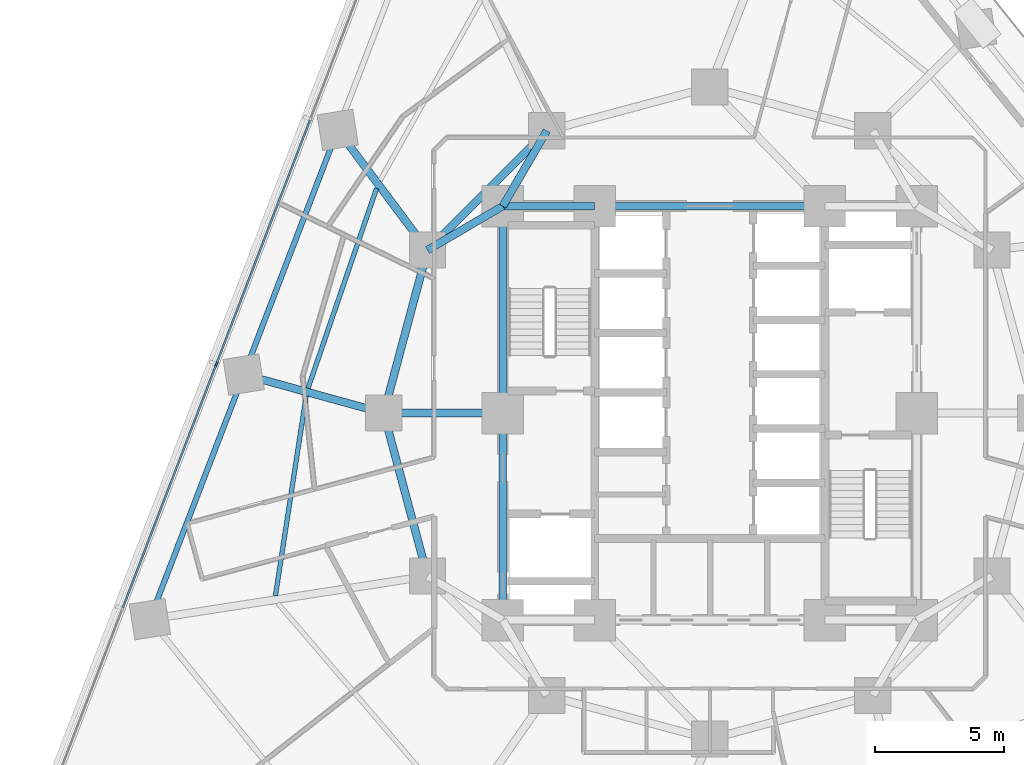
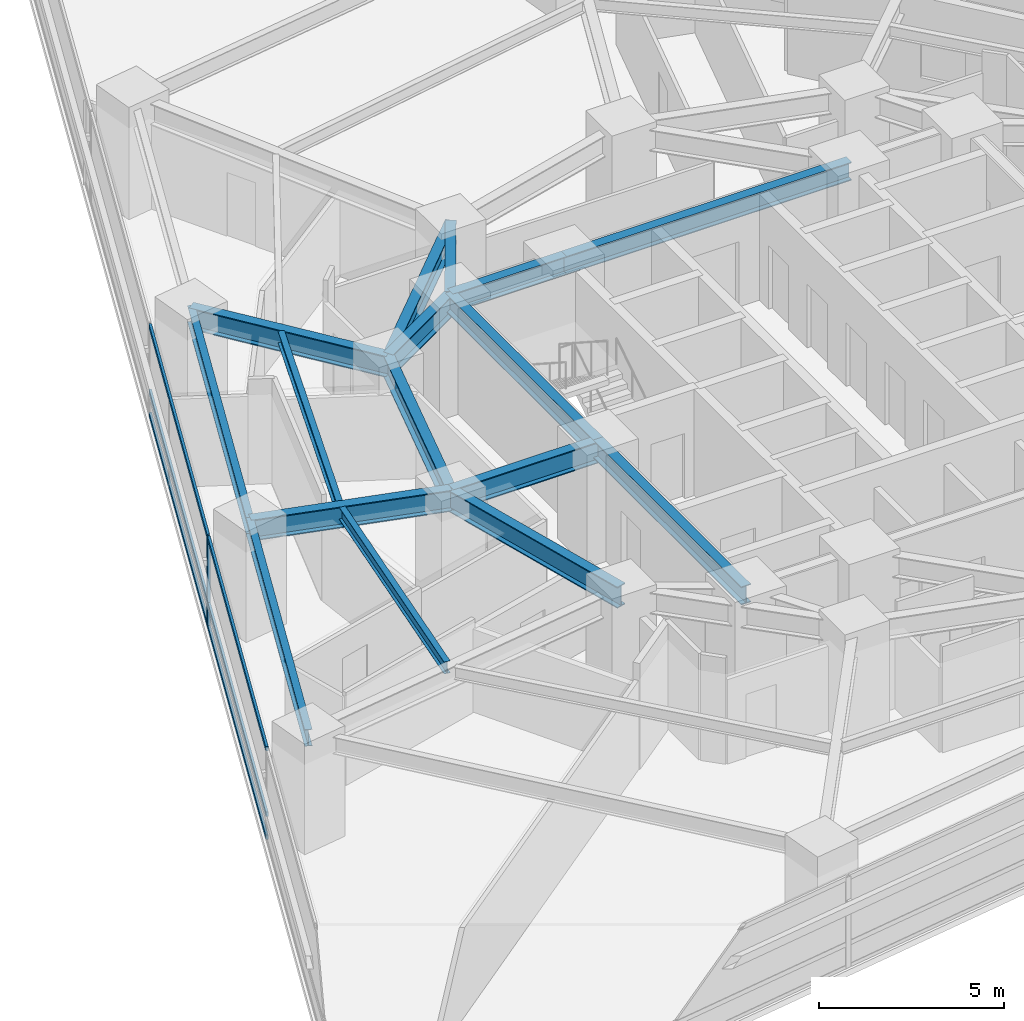
# One storey, part 3 of 13: 16 beams, 7 members, 1 element without a shape of its own.
"""IFC4 building model written with IfcOpenShell, lengths in metres."""

from ifc_helpers import new_model, si_unit, direction, frame, origin, origin_2d, place, context, subcontext, project, spatial, rectangle, i_section, extrude, material, layer, layer_set, material_profile, profile_set, type_object, element, aggregate, save


model = new_model("IFC4")

# Units and contexts
model_context = context("Model", 3, precision=1e-05, world=origin(), true_north=direction((0.0, 1.0)))
body_context = subcontext(model_context, "Body", "Model", "MODEL_VIEW")
ifc_project = project(units=[si_unit("LENGTHUNIT", "METRE"), si_unit("AREAUNIT", "SQUARE_METRE"), si_unit("VOLUMEUNIT", "CUBIC_METRE"), si_unit("PLANEANGLEUNIT", "RADIAN"), si_unit("MASSUNIT", "GRAM", prefix="KILO")], contexts=[model_context])

# Site, building, storey
site_placement = place(None, origin())
site = spatial("IfcSite", under=ifc_project, at=site_placement, CompositionType="ELEMENT")
building_placement = place(site_placement, origin())
building = spatial("IfcBuilding", under=site, at=building_placement, Name="Terralouvre Media Tower", CompositionType="ELEMENT")
storey_placement = place(building_placement, frame((0.0, 0.0, 77.800048828125)))
storey = spatial("IfcBuildingStorey", under=building, at=storey_placement, Name="L19", CompositionType="ELEMENT", Elevation=77.800048828125)

# Beams
ifc_material_1 = material(Name="Structural steel S355J2", Category="steel")
ifc_material_profile_1 = material_profile(ifc_material_1, i_section(OverallWidth=0.179931640625, OverallDepth=0.39990234375, WebThickness=0.008544921875, FlangeThickness=0.013427734375, at=origin_2d()), Name="IPE 400")
ifc_profile_set_1 = profile_set([ifc_material_profile_1], Name="Structural steel S355J2")
beam_type_1 = type_object("IfcBeamType", Name="Composite Floor Joist J-IPE400 (IPE 400)", PredefinedType="JOIST", material=ifc_profile_set_1)
beam_1_placement = place(storey_placement, frame((-12.87841796875, 8.684814453125, 3.300048828125), z_axis=(-0.324414525055, -0.945915015175, 0.0), x_axis=(0.945915015175, -0.324414525055, 0.0)))
element("IfcBeam", 1, at=beam_1_placement, inside=storey, type_object=beam_type_1, Name="L19 Framing Beam JT-L19-11", PredefinedType="JOIST", context=body_context, shape_type="SweptSolid", body=[
    extrude(i_section(OverallWidth=0.179931640625, OverallDepth=0.39990234375, WebThickness=0.008544921875, FlangeThickness=0.013427734375, at=origin_2d()), origin(), (0.0, 0.0, 1.0), 8.165283203125),
])
beam_2_placement = place(storey_placement, frame((-15.598876953125, 0.6708984375, 3.300048828125), z_axis=(-0.152106420826, -0.988364121538, 0.0), x_axis=(0.988364121538, -0.152106420826, 0.0)))
element("IfcBeam", 2, at=beam_2_placement, inside=storey, type_object=beam_type_1, Name="L19 Framing Beam JT-L19-12", PredefinedType="JOIST", context=body_context, shape_type="SweptSolid", body=[
    extrude(i_section(OverallWidth=0.179931640625, OverallDepth=0.39990234375, WebThickness=0.008544921875, FlangeThickness=0.013427734375, at=origin_2d()), origin(), (0.0, 0.0, 1.0), 7.82470703125),
])

# Curtain wall, members
ifc_material_2 = material(Name="Low-iron laminated double glazing with solar-control coating", Category="glass")
ifc_layer = layer(ifc_material_2, 0.1650390625, Name="Lower Media Tower Unitised Curtain Wall CW-02")
ifc_layer_set = layer_set([ifc_layer], Name="Low-iron laminated double glazing with solar-control coating")
curtain_wall_type = type_object("IfcCurtainWallType", Name="Lower Media Tower Unitised Curtain Wall CW-02", PredefinedType="NOTDEFINED", material=ifc_layer_set)
curtain_wall_placement = place(storey_placement, origin())
curtain_wall = element("IfcCurtainWall", 3, at=curtain_wall_placement, inside=storey, type_object=curtain_wall_type, Name="L19 Facade Curtain Wall F2", PredefinedType="NOTDEFINED")
ifc_material_3 = material(Name="Anodised extruded aluminium 6063-T6", Category="aluminium")
ifc_material_profile_2 = material_profile(ifc_material_3, rectangle(XDim=0.074951171875, YDim=0.14990234375, at=origin_2d()), Name="ALU 75x150")
ifc_profile_set_2 = profile_set([ifc_material_profile_2], Name="Anodised extruded aluminium 6063-T6")
member_type_1 = type_object("IfcMemberType", Name="Curtain-Wall Horizontal Transom TR-150", PredefinedType="USERDEFINED", material=ifc_profile_set_2)
member_1_placement = place(storey_placement, frame((-15.449951171875, 11.314697265625, 0.037353515625), z_axis=(-0.358357340084, -0.933584499019, 0.0), x_axis=(0.933584499019, -0.358357340084, 0.0)))
member_1 = element("IfcMember", 4, at=member_1_placement, type_object=member_type_1, Name="CW-02 transom 3.1", ObjectType="TRANSOM", PredefinedType="USERDEFINED", context=body_context, shape_type="SweptSolid", body=[
    extrude(rectangle(XDim=0.074951171875, YDim=0.14990234375, at=origin_2d()), origin(), (0.0, 0.0, 1.0), 10.052978515625),
])
member_2_placement = place(storey_placement, frame((-15.449951171875, 11.314697265625, 0.800048828125), z_axis=(-0.358357340084, -0.933584499019, 0.0), x_axis=(0.933584499019, -0.358357340084, 0.0)))
member_2 = element("IfcMember", 5, at=member_2_placement, type_object=member_type_1, Name="CW-02 transom 3.2", ObjectType="TRANSOM", PredefinedType="USERDEFINED", context=body_context, shape_type="SweptSolid", body=[
    extrude(rectangle(XDim=0.074951171875, YDim=0.14990234375, at=origin_2d()), origin(), (0.0, 0.0, 1.0), 10.052978515625),
])
member_3_placement = place(storey_placement, frame((-15.449951171875, 11.314697265625, 2.96240234375), z_axis=(-0.358357340084, -0.933584499019, 0.0), x_axis=(0.933584499019, -0.358357340084, 0.0)))
member_3 = element("IfcMember", 6, at=member_3_placement, type_object=member_type_1, Name="CW-02 transom 3.3", ObjectType="TRANSOM", PredefinedType="USERDEFINED", context=body_context, shape_type="SweptSolid", body=[
    extrude(rectangle(XDim=0.074951171875, YDim=0.14990234375, at=origin_2d()), origin(), (0.0, 0.0, 1.0), 10.052978515625),
])
member_4_placement = place(storey_placement, frame((-19.079345703125, 1.859375, 0.037353515625), z_axis=(-0.358378506594, -0.933576373957, 0.0), x_axis=(0.933576373957, -0.358378506594, 0.0)))
member_4 = element("IfcMember", 7, at=member_4_placement, type_object=member_type_1, Name="CW-02 transom 4.1", ObjectType="TRANSOM", PredefinedType="USERDEFINED", context=body_context, shape_type="SweptSolid", body=[
    extrude(rectangle(XDim=0.074951171875, YDim=0.14990234375, at=origin_2d()), origin(), (0.0, 0.0, 1.0), 10.052978515625),
])
member_5_placement = place(storey_placement, frame((-19.079345703125, 1.859375, 0.800048828125), z_axis=(-0.358378506594, -0.933576373957, 0.0), x_axis=(0.933576373957, -0.358378506594, 0.0)))
member_5 = element("IfcMember", 8, at=member_5_placement, type_object=member_type_1, Name="CW-02 transom 4.2", ObjectType="TRANSOM", PredefinedType="USERDEFINED", context=body_context, shape_type="SweptSolid", body=[
    extrude(rectangle(XDim=0.074951171875, YDim=0.14990234375, at=origin_2d()), origin(), (0.0, 0.0, 1.0), 10.052978515625),
])
member_6_placement = place(storey_placement, frame((-19.079345703125, 1.859375, 2.96240234375), z_axis=(-0.358378506594, -0.933576373957, 0.0), x_axis=(0.933576373957, -0.358378506594, 0.0)))
member_6 = element("IfcMember", 9, at=member_6_placement, type_object=member_type_1, Name="CW-02 transom 4.3", ObjectType="TRANSOM", PredefinedType="USERDEFINED", context=body_context, shape_type="SweptSolid", body=[
    extrude(rectangle(XDim=0.074951171875, YDim=0.14990234375, at=origin_2d()), origin(), (0.0, 0.0, 1.0), 10.052978515625),
])
ifc_material_4 = material(Name="Anodised extruded aluminium 6063-T6", Category="aluminium")
ifc_material_profile_3 = material_profile(ifc_material_4, rectangle(XDim=0.074951171875, YDim=0.179931640625, at=origin_2d()), Name="ALU 75x180")
ifc_profile_set_3 = profile_set([ifc_material_profile_3], Name="Anodised extruded aluminium 6063-T6")
member_type_2 = type_object("IfcMemberType", Name="Curtain-Wall Vertical Mullion ML-180", PredefinedType="MULLION", material=ifc_profile_set_3)
member_7_placement = place(storey_placement, frame((-19.06591796875, 1.89453125, 0.0), z_axis=(0.0, 0.0, 1.0), x_axis=(0.933580438988, -0.358367917006, 0.0)))
member_7 = element("IfcMember", 10, at=member_7_placement, type_object=member_type_2, Name="CW-02 mullion 4", PredefinedType="MULLION", context=body_context, shape_type="SweptSolid", body=[
    extrude(rectangle(XDim=0.074951171875, YDim=0.179931640625, at=origin_2d()), origin(), (0.0, 0.0, 1.0), 3.0),
])
aggregate(curtain_wall, [member_7, member_1, member_2, member_3, member_4, member_5, member_6])

# Beams
ifc_material_5 = material(Name="Structural steel S355J2", Category="steel")
ifc_material_profile_4 = material_profile(ifc_material_5, i_section(OverallWidth=0.2099609375, OverallDepth=0.550048828125, WebThickness=0.010986328125, FlangeThickness=0.01708984375, at=origin_2d()), Name="IPE 550")
ifc_profile_set_4 = profile_set([ifc_material_profile_4], Name="Structural steel S355J2")
beam_type_2 = type_object("IfcBeamType", Name="Perimeter Spandrel Beam SPB-550 (IPE 550)", PredefinedType="SPANDREL", material=ifc_profile_set_4)
for number, where, z_axis, x_axis, name in (
    (11, (-14.38134765625, 10.94482421875, 3.224853515625), (-0.358374878229, -0.933577766795, 0.0), (0.933577766795, -0.358374878229, 0.0), "L19 Framing Beam BM-L19-PR11"),
    (12, (-18.010986328125, 1.489501953125, 3.224853515625), (-0.358374878229, -0.933577766795, 0.0), (0.933577766795, -0.358374878229, 0.0), "L19 Framing Beam BM-L19-PR12"),
):
    element("IfcBeam", number, at=place(storey_placement, frame(where, z_axis=z_axis, x_axis=x_axis)), inside=storey, type_object=beam_type_2, Name=name, PredefinedType="SPANDREL", context=body_context, shape_type="SweptSolid", body=[
        extrude(i_section(OverallWidth=0.2099609375, OverallDepth=0.550048828125, WebThickness=0.010986328125, FlangeThickness=0.01708984375, at=origin_2d()), origin(), (0.0, 0.0, 1.0), 10.1279296875),
    ])
ifc_material_6 = material(Name="Structural steel S460M", Category="steel")
ifc_material_profile_5 = material_profile(ifc_material_6, i_section(OverallWidth=0.300048828125, OverallDepth=0.60009765625, WebThickness=0.015380859375, FlangeThickness=0.030029296875, at=origin_2d()), Name="HEB 600")
ifc_profile_set_5 = profile_set([ifc_material_profile_5], Name="Structural steel S460M")
beam_type_3 = type_object("IfcBeamType", Name="Primary Floor Girder B-HEB600 (HEB 600)", PredefinedType="BEAM", material=ifc_profile_set_5)
beam_3_placement = place(storey_placement, frame((4.449951171875, 8.0, 3.199951171875), z_axis=(-1.0, 0.0, 0.0), x_axis=(0.0, -1.0, 0.0)))
element("IfcBeam", 13, at=beam_3_placement, inside=storey, type_object=beam_type_3, Name="L19 Framing Beam BM-L19-CPR07", PredefinedType="BEAM", context=body_context, shape_type="SweptSolid", body=[
    extrude(i_section(OverallWidth=0.300048828125, OverallDepth=0.60009765625, WebThickness=0.015380859375, FlangeThickness=0.030029296875, at=origin_2d()), origin(), (0.0, 0.0, 1.0), 8.89990234375),
])
beam_4_placement = place(storey_placement, frame((-4.449951171875, 8.0, 3.199951171875), z_axis=(-1.0, 0.0, 0.0), x_axis=(0.0, -1.0, 0.0)))
element("IfcBeam", 14, at=beam_4_placement, inside=storey, type_object=beam_type_3, Name="L19 Framing Beam BM-L19-CPR08", PredefinedType="BEAM", context=body_context, shape_type="SweptSolid", body=[
    extrude(i_section(OverallWidth=0.300048828125, OverallDepth=0.60009765625, WebThickness=0.015380859375, FlangeThickness=0.030029296875, at=origin_2d()), origin(), (0.0, 0.0, 1.0), 3.550048828125),
])
for number, where, z_axis, x_axis, name in (
    (15, (-8.0, 8.0, 3.199951171875), (0.0, -1.0, 0.0), (1.0, 0.0, 0.0), "L19 Framing Beam BM-L19-CPR09"),
    (16, (-8.0, 0.0, 3.199951171875), (0.0, -1.0, 0.0), (1.0, 0.0, 0.0), "L19 Framing Beam BM-L19-CPR10"),
):
    element("IfcBeam", number, at=place(storey_placement, frame(where, z_axis=z_axis, x_axis=x_axis)), inside=storey, type_object=beam_type_3, Name=name, PredefinedType="BEAM", context=body_context, shape_type="SweptSolid", body=[
        extrude(i_section(OverallWidth=0.300048828125, OverallDepth=0.60009765625, WebThickness=0.015380859375, FlangeThickness=0.030029296875, at=origin_2d()), origin(), (0.0, 0.0, 1.0), 8.0),
    ])
ifc_material_7 = material(Name="Structural steel S460M", Category="steel")
ifc_material_profile_6 = material_profile(ifc_material_7, i_section(OverallWidth=0.300048828125, OverallDepth=0.699951171875, WebThickness=0.01708984375, FlangeThickness=0.031982421875, at=origin_2d()), Name="HEB 700")
ifc_profile_set_6 = profile_set([ifc_material_profile_6], Name="Structural steel S460M")
beam_type_4 = type_object("IfcBeamType", Name="Primary Floor Girder B-HEB700 (HEB 700)", PredefinedType="BEAM", material=ifc_profile_set_6)
beam_5_placement = place(storey_placement, frame((-6.300048828125, 10.911865234375, 3.14990234375), z_axis=(-0.707106781187, -0.707106781187, 0.0), x_axis=(0.707106781187, -0.707106781187, 0.0)))
element("IfcBeam", 17, at=beam_5_placement, inside=storey, type_object=beam_type_4, Name="L19 Framing Beam BM-L19-MR10", PredefinedType="BEAM", context=body_context, shape_type="SweptSolid", body=[
    extrude(i_section(OverallWidth=0.300048828125, OverallDepth=0.699951171875, WebThickness=0.01708984375, FlangeThickness=0.031982421875, at=origin_2d()), origin(), (0.0, 0.0, 1.0), 6.52197265625),
])
for number, where, z_axis, x_axis, name in (
    (18, (-10.911865234375, 6.300048828125, 3.14990234375), (-0.258838989821, -0.965920481897, 0.0), (0.965920481897, -0.258838989821, 0.0), "L19 Framing Beam BM-L19-MR11"),
    (19, (-12.60009765625, 0.0, 3.14990234375), (0.258838989821, -0.965920481897, 0.0), (0.965920481897, 0.258838989821, 0.0), "L19 Framing Beam BM-L19-MR12"),
):
    element("IfcBeam", number, at=place(storey_placement, frame(where, z_axis=z_axis, x_axis=x_axis)), inside=storey, type_object=beam_type_4, Name=name, PredefinedType="BEAM", context=body_context, shape_type="SweptSolid", body=[
        extrude(i_section(OverallWidth=0.300048828125, OverallDepth=0.699951171875, WebThickness=0.01708984375, FlangeThickness=0.031982421875, at=origin_2d()), origin(), (0.0, 0.0, 1.0), 6.522216796875),
    ])
for number, where, z_axis, x_axis, name in (
    (20, (-8.0, 8.0, 3.14990234375), (0.504172629717, 0.863602894532, 0.0), (-0.863602894532, 0.504172629717, 0.0), "L19 Framing Beam BM-L19-CM10"),
    (21, (-8.0, 8.0, 3.14990234375), (-0.863602894532, -0.504172629717, 0.0), (0.504172629717, -0.863602894532, 0.0), "L19 Framing Beam BM-L19-CM11"),
):
    element("IfcBeam", number, at=place(storey_placement, frame(where, z_axis=z_axis, x_axis=x_axis)), inside=storey, type_object=beam_type_4, Name=name, PredefinedType="BEAM", context=body_context, shape_type="SweptSolid", body=[
        extrude(i_section(OverallWidth=0.300048828125, OverallDepth=0.699951171875, WebThickness=0.01708984375, FlangeThickness=0.031982421875, at=origin_2d()), origin(), (0.0, 0.0, 1.0), 3.371826171875),
    ])
beam_6_placement = place(storey_placement, frame((-8.0, 0.0, 3.14990234375), z_axis=(-1.0, 0.0, 0.0), x_axis=(0.0, -1.0, 0.0)))
element("IfcBeam", 22, at=beam_6_placement, inside=storey, type_object=beam_type_4, Name="L19 Framing Beam BM-L19-CM12", PredefinedType="BEAM", context=body_context, shape_type="SweptSolid", body=[
    extrude(i_section(OverallWidth=0.300048828125, OverallDepth=0.699951171875, WebThickness=0.01708984375, FlangeThickness=0.031982421875, at=origin_2d()), origin(), (0.0, 0.0, 1.0), 4.60009765625),
])
beam_7_placement = place(storey_placement, frame((-10.911865234375, 6.300048828125, 3.14990234375), z_axis=(-0.598442434067, 0.801165808749, 0.0), x_axis=(-0.801165808749, -0.598442434067, 0.0)))
element("IfcBeam", 23, at=beam_7_placement, inside=storey, type_object=beam_type_4, Name="L19 Framing Beam BM-L19-RD11", PredefinedType="BEAM", context=body_context, shape_type="SweptSolid", body=[
    extrude(i_section(OverallWidth=0.300048828125, OverallDepth=0.699951171875, WebThickness=0.01708984375, FlangeThickness=0.031982421875, at=origin_2d()), origin(), (0.0, 0.0, 1.0), 5.797607421875),
])
beam_8_placement = place(storey_placement, frame((-12.60009765625, 0.0, 3.14990234375), z_axis=(-0.964136682273, 0.265406212992, 0.0), x_axis=(-0.265406212992, -0.964136682273, 0.0)))
element("IfcBeam", 24, at=beam_8_placement, inside=storey, type_object=beam_type_4, Name="L19 Framing Beam BM-L19-RD12", PredefinedType="BEAM", context=body_context, shape_type="SweptSolid", body=[
    extrude(i_section(OverallWidth=0.300048828125, OverallDepth=0.699951171875, WebThickness=0.01708984375, FlangeThickness=0.031982421875, at=origin_2d()), origin(), (0.0, 0.0, 1.0), 5.612060546875),
])

save(model, "model.ifc")
